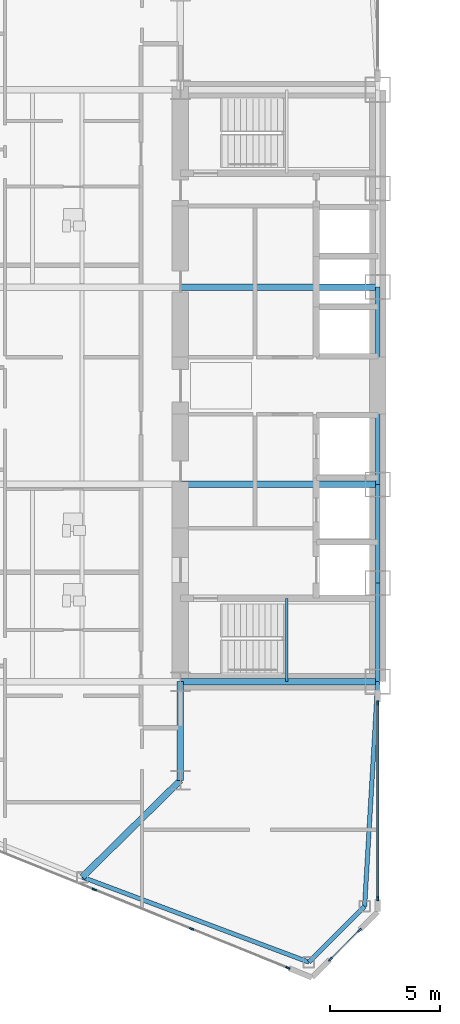
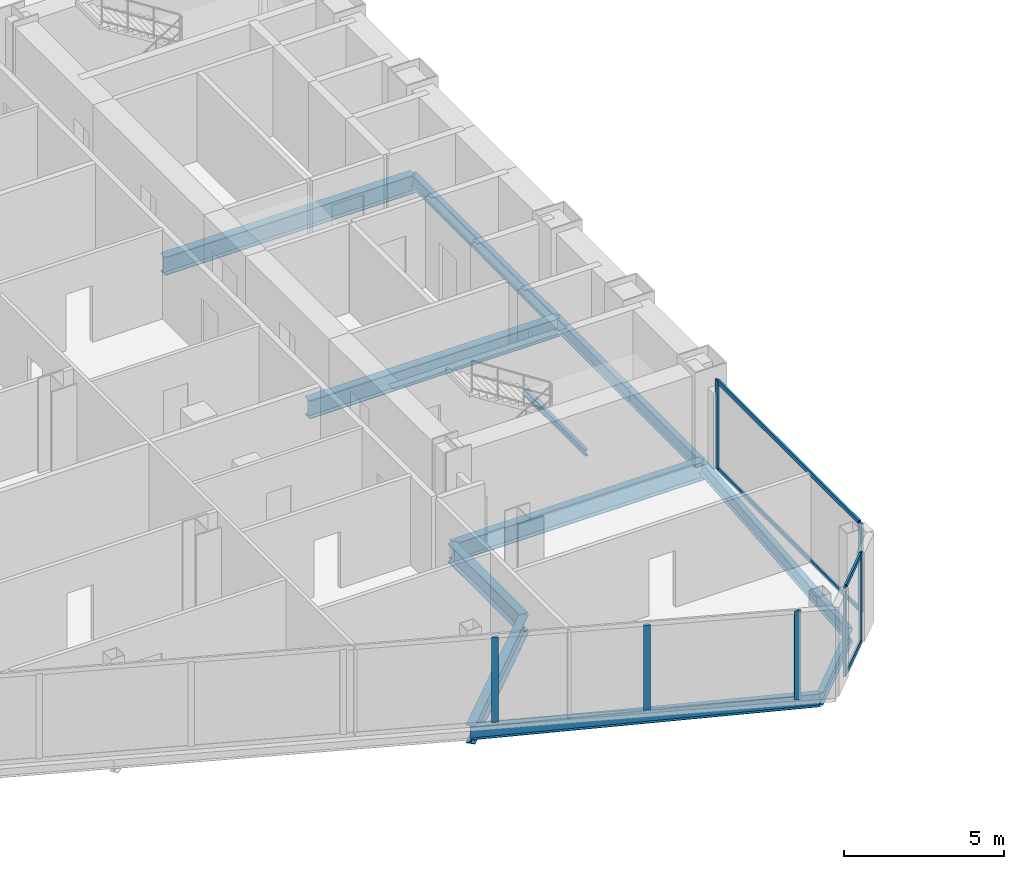
# One storey, part 5 of 25: 12 beams, 11 members, 3 elements without a shape of their own.
"""IFC4 building model written with IfcOpenShell, lengths in metres."""

from ifc_helpers import new_model, si_unit, direction, frame, origin, origin_2d, place, context, subcontext, project, spatial, rectangle, i_section, extrude, source, transform, mapped, material, layer, layer_set, material_profile, profile_set, type_object, type_shapes, element, aggregate, save


model = new_model("IFC4")

# Units and contexts
model_context = context("Model", 3, precision=1e-05, world=origin(), true_north=direction((0.0, 1.0)))
body_context = subcontext(model_context, "Body", "Model", "MODEL_VIEW")
ifc_project = project(units=[si_unit("LENGTHUNIT", "METRE"), si_unit("AREAUNIT", "SQUARE_METRE"), si_unit("VOLUMEUNIT", "CUBIC_METRE"), si_unit("PLANEANGLEUNIT", "RADIAN"), si_unit("MASSUNIT", "GRAM", prefix="KILO")], contexts=[model_context])

# Site, building, storey
site_placement = place(None, origin())
site = spatial("IfcSite", under=ifc_project, at=site_placement, CompositionType="ELEMENT")
building_placement = place(site_placement, origin())
building = spatial("IfcBuilding", under=site, at=building_placement, Name="Seokmaru Belvedere", CompositionType="ELEMENT")
storey_placement = place(building_placement, frame((0.0, 0.0, 44.10009765625)))
storey = spatial("IfcBuildingStorey", under=building, at=storey_placement, Name="L11", CompositionType="ELEMENT", Elevation=44.10009765625)

# Beams
ifc_material_1 = material(Name="Steel SM355 (355 MPa)", Category="steel")
ifc_material_profile_1 = material_profile(ifc_material_1, i_section(OverallWidth=0.199951171875, OverallDepth=0.5, WebThickness=0.010009765625, FlangeThickness=0.01611328125, at=origin_2d()), Name="H-500x200x10x16")
ifc_profile_set_1 = profile_set([ifc_material_profile_1], Name="Steel SM355 (355 MPa)")
beam_type_1 = type_object("IfcBeamType", Name="Perimeter Spandrel Beam H-500", PredefinedType="SPANDREL", material=ifc_profile_set_1)
shared_shape_1 = source(origin(), body_context, "Body", "SweptSolid", [
    extrude(i_section(OverallWidth=0.199951171875, OverallDepth=0.5, WebThickness=0.010009765625, FlangeThickness=0.01611328125, at=origin_2d()), origin(), (0.0, 0.0, 1.0), 4.5),
])
for number, where, z_axis, x_axis, name in (
    (1, (-27.5, -13.5, -0.47021484375), (0.0, 1.0, 0.0), (-1.0, 0.0, 0.0), "L11 W Portal Spine Spandrel 1"),
    (2, (-27.5, -9.0, -0.47021484375), (0.0, 1.0, 0.0), (-1.0, 0.0, 0.0), "L11 W Portal Spine Spandrel 2"),
):
    element("IfcBeam", number, at=place(storey_placement, frame(where, z_axis=z_axis, x_axis=x_axis)), inside=storey, type_object=beam_type_1, Name=name, PredefinedType="SPANDREL", context=body_context, shape_type="MappedRepresentation", body=[
        mapped(shared_shape_1, transform((0.0, 0.0, 0.0), scale=1.0)),
    ])
shared_shape_2 = source(origin(), body_context, "Body", "SweptSolid", [
    extrude(i_section(OverallWidth=0.199951171875, OverallDepth=0.5, WebThickness=0.010009765625, FlangeThickness=0.01611328125, at=origin_2d()), origin(), (0.0, 0.0, 1.0), 9.0),
])
beam_1_placement = place(storey_placement, frame((-27.5, -4.5, -0.47021484375), z_axis=(0.0, 1.0, 0.0), x_axis=(-1.0, 0.0, 0.0)))
element("IfcBeam", 3, at=beam_1_placement, inside=storey, type_object=beam_type_1, Name="L11 W Portal Spine Spandrel 3", PredefinedType="SPANDREL", context=body_context, shape_type="MappedRepresentation", body=[
    mapped(shared_shape_2, transform((0.0, 0.0, 0.0), scale=1.0)),
])
ifc_material_profile_2 = material_profile(ifc_material_1, i_section(OverallWidth=0.300048828125, OverallDepth=0.699951171875, WebThickness=0.012939453125, FlangeThickness=0.02392578125, at=origin_2d()), Name="H-700x300x13x24")
ifc_profile_set_2 = profile_set([ifc_material_profile_2], Name="Steel SM355 (355 MPa)")
beam_type_2 = type_object("IfcBeamType", Name="Primary Floor Girder H-700", PredefinedType="BEAM", material=ifc_profile_set_2)
shared_shape_3 = source(origin(), body_context, "Body", "SweptSolid", [
    extrude(i_section(OverallWidth=0.300048828125, OverallDepth=0.699951171875, WebThickness=0.012939453125, FlangeThickness=0.02392578125, at=origin_2d()), origin(), (0.0, 0.0, 1.0), 4.5),
])
beam_2_placement = place(storey_placement, frame((-36.5, -18.0, -0.570068359375), z_axis=(0.0, 1.0, 0.0), x_axis=(-1.0, 0.0, 0.0)))
element("IfcBeam", 4, at=beam_2_placement, inside=storey, type_object=beam_type_2, Name="L11 W Core Shoulder Girder S", PredefinedType="BEAM", context=body_context, shape_type="MappedRepresentation", body=[
    mapped(shared_shape_3, transform((0.0, 0.0, 0.0), scale=1.0)),
])
shared_shape_4 = source(origin(), body_context, "Body", "SweptSolid", [
    extrude(i_section(OverallWidth=0.300048828125, OverallDepth=0.699951171875, WebThickness=0.012939453125, FlangeThickness=0.02392578125, at=origin_2d()), origin(), (0.0, 0.0, 1.0), 9.0),
])
for number, where, z_axis, x_axis, name in (
    (5, (-36.5, -13.5, -0.570068359375), (1.0, 0.0, 0.0), (0.0, 1.0, 0.0), "L11 W Core Tie Girder 1"),
    (6, (-36.5, -4.5, -0.570068359375), (1.0, 0.0, 0.0), (0.0, 1.0, 0.0), "L11 W Core Tie Girder 2"),
    (7, (-36.5, 4.5, -0.570068359375), (1.0, 0.0, 0.0), (0.0, 1.0, 0.0), "L11 W Core Tie Girder 3"),
):
    element("IfcBeam", number, at=place(storey_placement, frame(where, z_axis=z_axis, x_axis=x_axis)), inside=storey, type_object=beam_type_2, Name=name, PredefinedType="BEAM", context=body_context, shape_type="MappedRepresentation", body=[
        mapped(shared_shape_4, transform((0.0, 0.0, 0.0), scale=1.0)),
    ])
shared_shape_5 = source(origin(), body_context, "Body", "SweptSolid", [
    extrude(i_section(OverallWidth=0.199951171875, OverallDepth=0.5, WebThickness=0.010009765625, FlangeThickness=0.01611328125, at=origin_2d()), origin(), (0.0, 0.0, 1.0), 11.03857421875),
])
beam_3_placement = place(storey_placement, frame((-30.643310546875, -26.294677734375, -0.47021484375), z_axis=(-0.936169110734, 0.351549990907, 0.0), x_axis=(-0.351549990907, -0.936169110734, 0.0)))
element("IfcBeam", 8, at=beam_3_placement, inside=storey, type_object=beam_type_1, Name="L11 W Faceted Flank Spandrel S-1", PredefinedType="SPANDREL", context=body_context, shape_type="MappedRepresentation", body=[
    mapped(shared_shape_5, transform((0.0, 0.0, 0.0), scale=1.0)),
])
shared_shape_6 = source(origin(), body_context, "Body", "SweptSolid", [
    extrude(i_section(OverallWidth=0.199951171875, OverallDepth=0.5, WebThickness=0.010009765625, FlangeThickness=0.01611328125, at=origin_2d()), origin(), (0.0, 0.0, 1.0), 3.5966796875),
])
beam_4_placement = place(storey_placement, frame((-30.643310546875, -26.294677734375, -0.47021484375), z_axis=(0.707106781187, 0.707106781187, 0.0), x_axis=(-0.707106781187, 0.707106781187, 0.0)))
element("IfcBeam", 9, at=beam_4_placement, inside=storey, type_object=beam_type_1, Name="L11 W Shoulder Chamfer Spandrel S", PredefinedType="SPANDREL", context=body_context, shape_type="MappedRepresentation", body=[
    mapped(shared_shape_6, transform((0.0, 0.0, 0.0), scale=1.0)),
])
shared_shape_7 = source(origin(), body_context, "Body", "SweptSolid", [
    extrude(i_section(OverallWidth=0.199951171875, OverallDepth=0.5, WebThickness=0.010009765625, FlangeThickness=0.01611328125, at=origin_2d()), origin(), (0.0, 0.0, 1.0), 10.26904296875),
])
type_shapes(beam_type_1, [shared_shape_1, shared_shape_2, shared_shape_5, shared_shape_6, shared_shape_7])
beam_5_placement = place(storey_placement, frame((-28.10009765625, -23.75146484375, -0.47021484375), z_axis=(0.058437709399, 0.998291056817, 0.0), x_axis=(-0.998291056817, 0.058437709399, 0.0)))
element("IfcBeam", 10, at=beam_5_placement, inside=storey, type_object=beam_type_1, Name="L11 W Shoulder Spine Spandrel S", PredefinedType="SPANDREL", context=body_context, shape_type="MappedRepresentation", body=[
    mapped(shared_shape_7, transform((0.0, 0.0, 0.0), scale=1.0)),
])
shared_shape_8 = source(origin(), body_context, "Body", "SweptSolid", [
    extrude(i_section(OverallWidth=0.300048828125, OverallDepth=0.699951171875, WebThickness=0.012939453125, FlangeThickness=0.02392578125, at=origin_2d()), origin(), (0.0, 0.0, 1.0), 6.287353515625),
])
type_shapes(beam_type_2, [shared_shape_3, shared_shape_4, shared_shape_8])
beam_6_placement = place(storey_placement, frame((-40.977294921875, -22.4140625, -0.570068359375), z_axis=(0.712117485263, 0.702060315915, 0.0), x_axis=(-0.702060315915, 0.712117485263, 0.0)))
element("IfcBeam", 11, at=beam_6_placement, inside=storey, type_object=beam_type_2, Name="L11 W Flank Radial Floor Girder S-1", PredefinedType="BEAM", context=body_context, shape_type="MappedRepresentation", body=[
    mapped(shared_shape_8, transform((0.0, 0.0, 0.0), scale=1.0)),
])

# Curtain wall, members
ifc_material_2 = material(Name="Bronze Triple Insulating Glass", Category="glass")
ifc_layer = layer(ifc_material_2, 0.2099609375)
ifc_layer_set = layer_set([ifc_layer], Name="Bronze Triple Insulating Glass")
curtain_wall_type = type_object("IfcCurtainWallType", Name="Low-Rise Faceted Crystal Curtain Wall System CW-2", PredefinedType="NOTDEFINED", material=ifc_layer_set)
curtain_wall_1_placement = place(storey_placement, origin())
curtain_wall_1 = element("IfcCurtainWall", 12, at=curtain_wall_1_placement, inside=storey, type_object=curtain_wall_type, Name="L11 Curtain Wall WSP_1", PredefinedType="NOTDEFINED")
ifc_material_3 = material(Name="Anodised Bronze Aluminium", Category="aluminium")
ifc_material_profile_3 = material_profile(ifc_material_3, rectangle(XDim=0.070068359375, YDim=0.1650390625, at=origin_2d()), Name="CW-T-70x165")
ifc_profile_set_3 = profile_set([ifc_material_profile_3], Name="Anodised Bronze Aluminium")
member_type_1 = type_object("IfcMemberType", Name="Bronze Unitised Transom 70x165", PredefinedType="USERDEFINED", material=ifc_profile_set_3)
shared_shape_9 = source(origin(), body_context, "Body", "SweptSolid", [
    extrude(rectangle(XDim=0.070068359375, YDim=0.1650390625, at=origin_2d()), origin(), (0.0, 0.0, 1.0), 8.85009765625),
])
member_1_placement = place(storey_placement, frame((-27.5, -23.35498046875, 0.034912109375), z_axis=(0.0, 1.0, 0.0), x_axis=(-1.0, 0.0, 0.0)))
member_1 = element("IfcMember", 13, at=member_1_placement, type_object=member_type_1, Name="CW:L11:WSP_1 Continuous Transom 1", ObjectType="TRANSOM", PredefinedType="USERDEFINED", context=body_context, shape_type="MappedRepresentation", body=[
    mapped(shared_shape_9, transform((0.0, 0.0, 0.0), scale=1.0)),
])
member_2_placement = place(storey_placement, frame((-27.5, -23.35498046875, 3.344970703125), z_axis=(0.0, 1.0, 0.0), x_axis=(-1.0, 0.0, 0.0)))
member_2 = element("IfcMember", 14, at=member_2_placement, type_object=member_type_1, Name="CW:L11:WSP_1 Continuous Transom 2", ObjectType="TRANSOM", PredefinedType="USERDEFINED", context=body_context, shape_type="MappedRepresentation", body=[
    mapped(shared_shape_9, transform((0.0, 0.0, 0.0), scale=1.0)),
])

curtain_wall_2_placement = place(storey_placement, origin())
curtain_wall_2 = element("IfcCurtainWall", 15, at=curtain_wall_2_placement, inside=storey, type_object=curtain_wall_type, Name="L11 Curtain Wall WF6", PredefinedType="NOTDEFINED")
shared_shape_10 = source(origin(), body_context, "Body", "SweptSolid", [
    extrude(rectangle(XDim=0.070068359375, YDim=0.1650390625, at=origin_2d()), origin(), (0.0, 0.0, 1.0), 1.792724609375),
])
type_shapes(member_type_1, [shared_shape_9, shared_shape_10])
member_3_placement = place(storey_placement, frame((-29.6337890625, -26.1337890625, 0.034912109375), z_axis=(0.707106781187, 0.707106781187, 0.0), x_axis=(-0.707106781187, 0.707106781187, 0.0)))
member_3 = element("IfcMember", 16, at=member_3_placement, type_object=member_type_1, Name="CW:L11:WF6 Continuous Transom 1", ObjectType="TRANSOM", PredefinedType="USERDEFINED", context=body_context, shape_type="MappedRepresentation", body=[
    mapped(shared_shape_10, transform((0.0, 0.0, 0.0), scale=1.0)),
])
member_4_placement = place(storey_placement, frame((-29.6337890625, -26.1337890625, 3.344970703125), z_axis=(0.707106781187, 0.707106781187, 0.0), x_axis=(-0.707106781187, 0.707106781187, 0.0)))
member_4 = element("IfcMember", 17, at=member_4_placement, type_object=member_type_1, Name="CW:L11:WF6 Continuous Transom 2", ObjectType="TRANSOM", PredefinedType="USERDEFINED", context=body_context, shape_type="MappedRepresentation", body=[
    mapped(shared_shape_10, transform((0.0, 0.0, 0.0), scale=1.0)),
])

curtain_wall_3_placement = place(storey_placement, origin())
curtain_wall_3 = element("IfcCurtainWall", 18, at=curtain_wall_3_placement, inside=storey, type_object=curtain_wall_type, Name="L11 Curtain Wall WF5", PredefinedType="NOTDEFINED")
ifc_material_profile_4 = material_profile(ifc_material_3, rectangle(XDim=0.074951171875, YDim=0.2099609375, at=origin_2d()), Name="CW-M-75x210")
ifc_profile_set_4 = profile_set([ifc_material_profile_4], Name="Anodised Bronze Aluminium")
member_type_2 = type_object("IfcMemberType", Name="Bronze Unitised Mullion 75x210", PredefinedType="MULLION", material=ifc_profile_set_4)
shared_shape_11 = source(origin(), body_context, "Body", "SweptSolid", [
    extrude(rectangle(XDim=0.074951171875, YDim=0.2099609375, at=origin_2d()), origin(), (0.0, 0.0, 1.0), 3.239990234375),
])
member_5_placement = place(storey_placement, frame((-40.425537109375, -22.982421875, 0.06982421875), z_axis=(0.0, 0.0, 1.0), x_axis=(0.375192321888, 0.926946989637, 0.0)))
member_5 = element("IfcMember", 19, at=member_5_placement, type_object=member_type_2, Name="CW:L11:WF5 Mullion 8", PredefinedType="MULLION", context=body_context, shape_type="MappedRepresentation", body=[
    mapped(shared_shape_11, transform((0.0, 0.0, 0.0), scale=1.0)),
])
member_6_placement = place(storey_placement, frame((-35.995849609375, -24.775390625, 0.06982421875), z_axis=(0.0, 0.0, 1.0), x_axis=(0.375192321888, 0.926946989637, 0.0)))
member_6 = element("IfcMember", 20, at=member_6_placement, type_object=member_type_2, Name="CW:L11:WF5 Mullion 9", PredefinedType="MULLION", context=body_context, shape_type="MappedRepresentation", body=[
    mapped(shared_shape_11, transform((0.0, 0.0, 0.0), scale=1.0)),
])

# Member
shared_shape_12 = source(origin(), body_context, "Body", "SweptSolid", [
    extrude(rectangle(XDim=0.074951171875, YDim=0.2099609375, at=origin_2d()), origin(), (0.0, 0.0, 1.0), 3.3798828125),
])
type_shapes(member_type_2, [shared_shape_11, shared_shape_12])
member_7_placement = place(storey_placement, frame((-27.5, -23.392578125, 0.0), z_axis=(0.0, 0.0, 1.0), x_axis=(-1.0, 0.0, 0.0)))
member_7 = element("IfcMember", 21, at=member_7_placement, type_object=member_type_2, Name="CW:L11:WSP_1 Mullion 1", PredefinedType="MULLION", context=body_context, shape_type="MappedRepresentation", body=[
    mapped(shared_shape_12, transform((0.0, 0.0, 0.0), scale=1.0)),
])

member_8_placement = place(storey_placement, frame((-27.5, -14.467529296875, 0.0), z_axis=(0.0, 0.0, 1.0), x_axis=(-1.0, 0.0, 0.0)))
member_8 = element("IfcMember", 22, at=member_8_placement, type_object=member_type_2, Name="CW:L11:WSP_1 Mullion 2", PredefinedType="MULLION", context=body_context, shape_type="MappedRepresentation", body=[
    mapped(shared_shape_12, transform((0.0, 0.0, 0.0), scale=1.0)),
])

aggregate(curtain_wall_1, [member_7, member_8, member_1, member_2])

member_9_placement = place(storey_placement, frame((-31.600830078125, -26.554443359375, 0.0), z_axis=(0.0, 0.0, 1.0), x_axis=(0.375192321888, 0.926946989637, 0.0)))
member_9 = element("IfcMember", 23, at=member_9_placement, type_object=member_type_2, Name="CW:L11:WF5 Mullion 10", PredefinedType="MULLION", context=body_context, shape_type="MappedRepresentation", body=[
    mapped(shared_shape_12, transform((0.0, 0.0, 0.0), scale=1.0)),
])

aggregate(curtain_wall_3, [member_5, member_6, member_9])

member_10_placement = place(storey_placement, frame((-29.660400390625, -26.160400390625, 0.0), z_axis=(0.0, 0.0, 1.0), x_axis=(-0.707106781187, 0.707106781187, 0.0)))
member_10 = element("IfcMember", 24, at=member_10_placement, type_object=member_type_2, Name="CW:L11:WF6 Mullion 1", PredefinedType="MULLION", context=body_context, shape_type="MappedRepresentation", body=[
    mapped(shared_shape_12, transform((0.0, 0.0, 0.0), scale=1.0)),
])

member_11_placement = place(storey_placement, frame((-28.339599609375, -24.839599609375, 0.0), z_axis=(0.0, 0.0, 1.0), x_axis=(-0.707106781187, 0.707106781187, 0.0)))
member_11 = element("IfcMember", 25, at=member_11_placement, type_object=member_type_2, Name="CW:L11:WF6 Mullion 2", PredefinedType="MULLION", context=body_context, shape_type="MappedRepresentation", body=[
    mapped(shared_shape_12, transform((0.0, 0.0, 0.0), scale=1.0)),
])

aggregate(curtain_wall_2, [member_10, member_11, member_3, member_4])

# Beam
ifc_material_profile_5 = material_profile(ifc_material_1, i_section(OverallWidth=0.125, OverallDepth=0.25, WebThickness=0.006103515625, FlangeThickness=0.009033203125, at=origin_2d()), Name="H-250x125x6x9")
ifc_profile_set_5 = profile_set([ifc_material_profile_5], Name="Steel SM355 (355 MPa)")
beam_type_3 = type_object("IfcBeamType", Name="Stair Mid-Landing Support Beam H-250", PredefinedType="JOIST", material=ifc_profile_set_5)
shared_shape_13 = source(origin(), body_context, "Body", "SweptSolid", [
    extrude(i_section(OverallWidth=0.125, OverallDepth=0.25, WebThickness=0.006103515625, FlangeThickness=0.009033203125, at=origin_2d()), origin(), (0.0, 0.0, 1.0), 3.800048828125),
])
type_shapes(beam_type_3, [shared_shape_13])
beam_7_placement = place(storey_placement, frame((-31.64990234375, -13.5, 1.474853515625), z_axis=(0.0, 1.0, 0.0), x_axis=(-1.0, 0.0, 0.0)))
element("IfcBeam", 26, at=beam_7_placement, inside=storey, type_object=beam_type_3, Name="L11 Stair ST-W1 Mid-Landing Support Beam 1", PredefinedType="JOIST", context=body_context, shape_type="MappedRepresentation", body=[
    mapped(shared_shape_13, transform((0.0, 0.0, 0.0), scale=1.0)),
])

save(model, "model.ifc")
